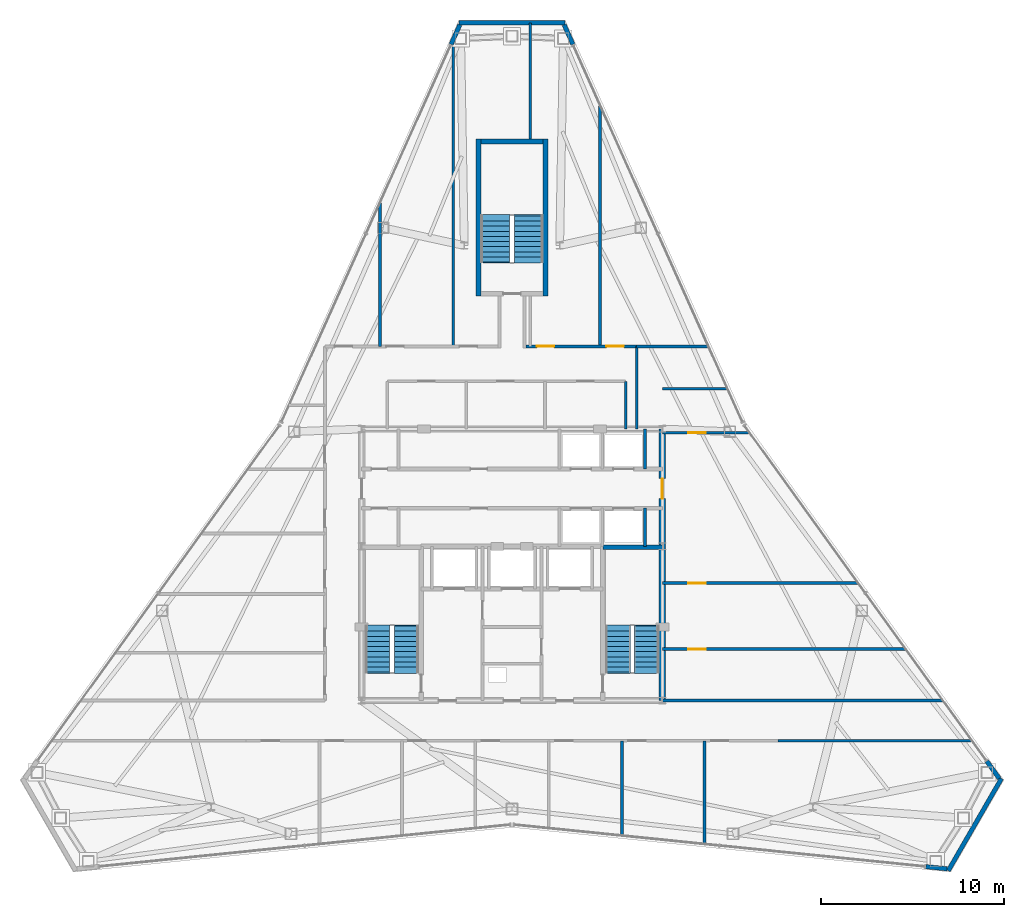
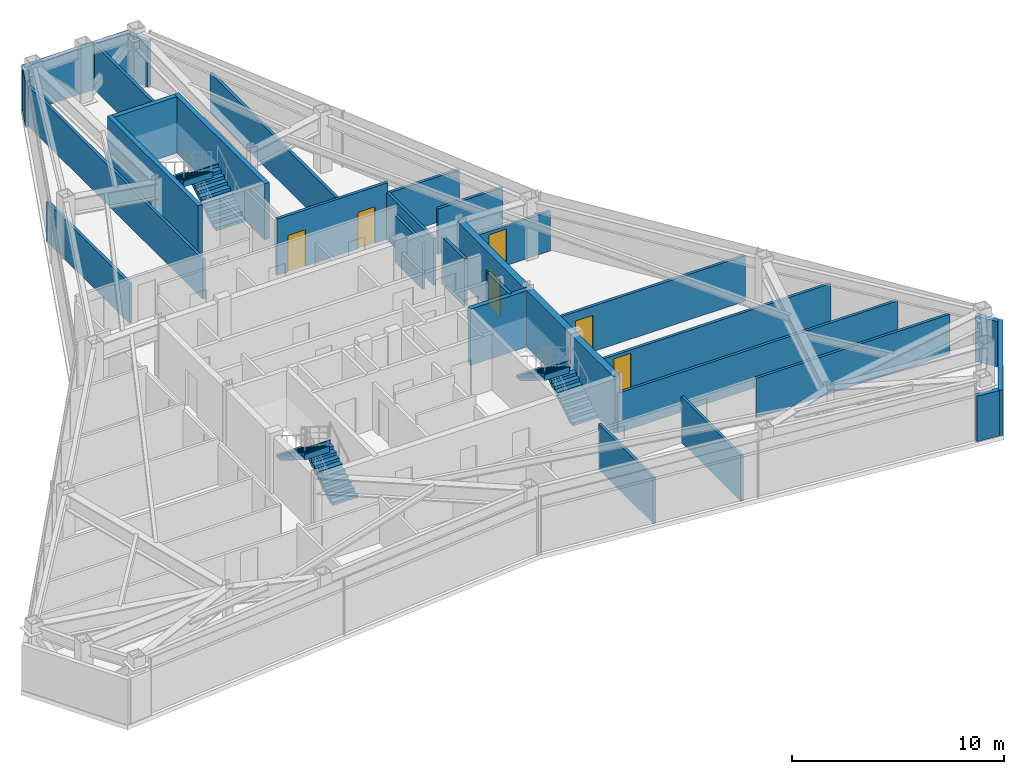
# One storey, part 11 of 12: 29 walls, 6 doors, 6 stair flights, 6 openings, 3 elements without a shape of their own.
"""IFC4 building model written with IfcOpenShell, lengths in metres."""

from ifc_helpers import new_model, si_unit, direction, frame, frame_2d, origin, place, context, subcontext, project, spatial, polyline, rectangle, outline, extrude, material, layer, layer_set, type_object, element, fill, aggregate, save


model = new_model("IFC4")

# Units and contexts
model_context = context("Model", 3, precision=1e-05, world=origin(), true_north=direction((0.0, 1.0)))
body_context = subcontext(model_context, "Body", "Model", "MODEL_VIEW")
ifc_project = project(units=[si_unit("LENGTHUNIT", "METRE"), si_unit("AREAUNIT", "SQUARE_METRE"), si_unit("VOLUMEUNIT", "CUBIC_METRE"), si_unit("PLANEANGLEUNIT", "RADIAN"), si_unit("MASSUNIT", "GRAM", prefix="KILO")], contexts=[model_context])

# Site, building, storey
site_placement = place(None, origin())
site = spatial("IfcSite", under=ifc_project, at=site_placement, CompositionType="ELEMENT")
building_placement = place(site_placement, origin())
building = spatial("IfcBuilding", under=site, at=building_placement, Name="Varakhsha Concourse Tower", CompositionType="ELEMENT")
storey_placement = place(building_placement, frame((0.0, 0.0, 258.5)))
storey = spatial("IfcBuildingStorey", under=building, at=storey_placement, Name="L73", CompositionType="ELEMENT", Elevation=258.5)

# Wall, opening, door
ifc_material_1 = material(Name="Concrete fc 65 MPa", Category="concrete")
ifc_layer_1 = layer(ifc_material_1, 0.35009765625, Name="WL-CORE-350")
ifc_layer_set_1 = layer_set([ifc_layer_1], Name="Concrete fc 65 MPa")
wall_type_1 = type_object("IfcWallType", Name="WL-CORE-350", PredefinedType="SHEAR", material=ifc_layer_set_1)
wall_1_placement = place(storey_placement, frame((48.199951171875, 16.39990234375, 0.0), z_axis=(0.0, 0.0, 1.0), x_axis=(0.0, 1.0, 0.0)))
wall_1 = element("IfcWall", 1, at=wall_1_placement, inside=storey, type_object=wall_type_1, Name="L73 Wall CWALL-E-L73", PredefinedType="SHEAR", context=body_context, shape_type="SweptSolid", body=[
    extrude(rectangle(XDim=14.800048828125, YDim=0.35009765625, at=frame_2d((7.39990234375, 0.0))), origin(), (0.0, 0.0, 1.0), 3.25),
])
opening_1_placement = place(wall_1_placement, frame((11.0, 0.0, 0.0)))
opening_1 = element("IfcOpeningElement", 2, at=opening_1_placement, cuts=wall_1, Name="Opening DL-01", PredefinedType="OPENING", context=body_context, shape_type="SweptSolid", body=[
    extrude(rectangle(XDim=1.10009765625, YDim=2.14990234375, at=frame_2d((0.550048828125, 1.074951171875))), frame((0.0, 0.18505859375, 0.0), z_axis=(0.0, -1.0, 0.0), x_axis=(1.0, 0.0, 0.0)), (0.0, 0.0, 1.0), 0.3701171875),
])
ifc_material_2 = material(Name="Anodised Bronze Architectural Aluminium AA 6063-T6", Category="aluminium")
door_type_1 = type_object("IfcDoorType", Name="DR-LOB-1100", OperationType="NOTDEFINED", PredefinedType="DOOR", material=ifc_material_2)
door_1_placement = place(opening_1_placement, origin())
door_1 = element("IfcDoor", 3, at=door_1_placement, inside=storey, type_object=door_type_1, Name="L73 Lift Lobby East Concourse Door", OperationType="SINGLE_SWING_RIGHT", OverallHeight=2.14990234375, OverallWidth=1.10009765625, PredefinedType="DOOR", context=body_context, shape_type="SweptSolid", body=[
    extrude(rectangle(XDim=1.10009765625, YDim=2.14990234375, at=frame_2d((0.550048828125, 1.074951171875))), frame((0.0, 0.02490234375, 0.0), z_axis=(0.0, -1.0, 0.0), x_axis=(1.0, 0.0, 0.0)), (0.0, 0.0, 1.0), 0.050048828125),
])
fill(opening_1, door_1)

# Walls
ifc_material_3 = material(Name="Concrete fc 45 MPa", Category="concrete")
ifc_layer_2 = layer(ifc_material_3, 0.239990234375, Name="WL-EXT-CRN-240")
ifc_layer_set_2 = layer_set([ifc_layer_2], Name="Concrete fc 45 MPa")
wall_type_2 = type_object("IfcWallType", Name="WL-EXT-CRN-240", PredefinedType="SHEAR", material=ifc_layer_set_2)
wall_2_placement = place(storey_placement, frame((37.10009765625, 53.337158203125, 0.0), z_axis=(0.0, 0.0, 1.0), x_axis=(1.0, 0.0, 0.0)))
element("IfcWall", 4, at=wall_2_placement, inside=storey, type_object=wall_type_2, Name="L73 Chamfer Wind-Corner Insulated Wall F1", PredefinedType="SHEAR", context=body_context, shape_type="SweptSolid", body=[
    extrude(rectangle(XDim=5.7998046875, YDim=0.239990234375, at=frame_2d((2.89990234375, 0.0))), origin(), (0.0, 0.0, 1.0), 2.623046875),
])
wall_3_placement = place(storey_placement, frame((37.15576171875, 53.23095703125, 0.0), z_axis=(0.0, 0.0, 1.0), x_axis=(-0.409608159136, -0.912261561159, 0.0)))
element("IfcWall", 5, at=wall_3_placement, inside=storey, type_object=wall_type_2, Name="L73 Wind-Corner Shoulder Wall F2", PredefinedType="SHEAR", context=body_context, shape_type="SweptSolid", body=[
    extrude(rectangle(XDim=1.167724609375, YDim=0.239990234375, at=frame_2d((0.583984375, 0.0))), origin(), (0.0, 0.0, 1.0), 2.623046875),
])
wall_4_placement = place(storey_placement, frame((62.557861328125, 7.33984375, 0.0), z_axis=(0.0, 0.0, 1.0), x_axis=(0.994842759405, -0.101429207129, 0.0)))
element("IfcWall", 6, at=wall_4_placement, inside=storey, type_object=wall_type_2, Name="L73 Wind-Corner Shoulder Wall F6", PredefinedType="SHEAR", context=body_context, shape_type="SweptSolid", body=[
    extrude(rectangle(XDim=1.16748046875, YDim=0.239990234375, at=frame_2d((0.583740234375, 0.0))), origin(), (0.0, 0.0, 1.0), 2.623046875),
])
wall_5_placement = place(storey_placement, frame((66.683349609375, 12.142822265625, 0.0), z_axis=(0.0, 0.0, 1.0), x_axis=(-0.500005459048, -0.866022251978, 0.0)))
element("IfcWall", 7, at=wall_5_placement, inside=storey, type_object=wall_type_2, Name="L73 Chamfer Wind-Corner Insulated Wall F7", PredefinedType="SHEAR", context=body_context, shape_type="SweptSolid", body=[
    extrude(rectangle(XDim=5.7998046875, YDim=0.239990234375, at=frame_2d((2.89990234375, 0.0))), origin(), (0.0, 0.0, 1.0), 2.623046875),
])
wall_6_placement = place(storey_placement, frame((66.5634765625, 12.147705078125, 0.0), z_axis=(0.0, 0.0, 1.0), x_axis=(-0.585108734167, 0.810954850286, 0.0)))
element("IfcWall", 8, at=wall_6_placement, inside=storey, type_object=wall_type_2, Name="L73 Wind-Corner Shoulder Wall F8", PredefinedType="SHEAR", context=body_context, shape_type="SweptSolid", body=[
    extrude(rectangle(XDim=1.16748046875, YDim=0.239990234375, at=frame_2d((0.583740234375, 0.0))), origin(), (0.0, 0.0, 1.0), 2.623046875),
])
wall_7_placement = place(storey_placement, frame((43.322509765625, 52.165771484375, 0.0), z_axis=(0.0, 0.0, 1.0), x_axis=(-0.409608159136, 0.912261561159, 0.0)))
element("IfcWall", 9, at=wall_7_placement, inside=storey, type_object=wall_type_2, Name="L73 Wind-Corner Shoulder Wall F9", PredefinedType="SHEAR", context=body_context, shape_type="SweptSolid", body=[
    extrude(rectangle(XDim=1.167724609375, YDim=0.239990234375, at=frame_2d((0.583984375, 0.0))), origin(), (0.0, 0.0, 1.0), 2.623046875),
])
ifc_material_4 = material(Name="Fire-Rated Type X Gypsum Partition Assembly", Category="gypsum")
ifc_layer_3 = layer(ifc_material_4, 0.14990234375, Name="WL-PART-150")
ifc_layer_set_3 = layer_set([ifc_layer_3], Name="Fire-Rated Type X Gypsum Partition Assembly")
wall_type_3 = type_object("IfcWallType", Name="WL-PART-150", PredefinedType="PARTITIONING", material=ifc_layer_set_3)
wall_8_placement = place(storey_placement, frame((46.199951171875, 31.199951171875, 0.0), z_axis=(0.0, 0.0, 1.0), x_axis=(0.0, 1.0, 0.0)))
element("IfcWall", 10, at=wall_8_placement, inside=storey, type_object=wall_type_3, Name="L73 Wall NBOH-E-L73", PredefinedType="PARTITIONING", context=body_context, shape_type="SweptSolid", body=[
    extrude(rectangle(XDim=2.60009765625, YDim=0.14990234375, at=frame_2d((1.300048828125, 0.0))), origin(), (0.0, 0.0, 1.0), 2.705078125),
])
wall_9_placement = place(storey_placement, frame((54.5, 14.199951171875, 0.0), z_axis=(0.0, 0.0, 1.0), x_axis=(1.0, 0.0, 0.0)))
element("IfcWall", 11, at=wall_9_placement, inside=storey, type_object=wall_type_3, Name="L73 Wall CRW-SGAL-SE-L73", PredefinedType="PARTITIONING", context=body_context, shape_type="SweptSolid", body=[
    extrude(rectangle(XDim=10.576416015625, YDim=0.14990234375, at=frame_2d((5.2880859375, 0.0))), origin(), (0.0, 0.0, 1.0), 2.2919921875),
])
wall_10_placement = place(storey_placement, frame((48.199951171875, 16.39990234375, 0.0), z_axis=(0.0, 0.0, 1.0), x_axis=(1.0, 0.0, 0.0)))
element("IfcWall", 12, at=wall_10_placement, inside=storey, type_object=wall_type_3, Name="L73 Wall CRW-SGAL-NE-L73", PredefinedType="PARTITIONING", context=body_context, shape_type="SweptSolid", body=[
    extrude(rectangle(XDim=15.28857421875, YDim=0.14990234375, at=frame_2d((7.644287109375, 0.0))), origin(), (0.0, 0.0, 1.0), 2.2919921875),
])

# Wall, openings, doors
wall_11_placement = place(storey_placement, frame((40.75, 35.699951171875, 0.0), z_axis=(0.0, 0.0, 1.0), x_axis=(1.0, 0.0, 0.0)))
wall_11 = element("IfcWall", 13, at=wall_11_placement, inside=storey, type_object=wall_type_3, Name="L73 Wall CRW-N-L73-B", PredefinedType="PARTITIONING", context=body_context, shape_type="SweptSolid", body=[
    extrude(rectangle(XDim=6.050048828125, YDim=0.14990234375, at=frame_2d((3.02490234375, 0.0))), origin(), (0.0, 0.0, 1.0), 3.25),
])
opening_2_placement = place(wall_11_placement, frame((0.60009765625, 0.0, 0.0)))
opening_2 = element("IfcOpeningElement", 14, at=opening_2_placement, cuts=wall_11, Name="Opening DF-05", PredefinedType="OPENING", context=body_context, shape_type="SweptSolid", body=[
    extrude(rectangle(XDim=0.949951171875, YDim=2.10009765625, at=frame_2d((0.47509765625, 1.050048828125))), frame((0.0, 0.0849609375, 0.0), z_axis=(0.0, -1.0, 0.0), x_axis=(1.0, 0.0, 0.0)), (0.0, 0.0, 1.0), 0.169921875),
])
opening_3_placement = place(wall_11_placement, frame((4.39990234375, 0.0, 0.0)))
opening_3 = element("IfcOpeningElement", 15, at=opening_3_placement, cuts=wall_11, Name="Opening DF-05", PredefinedType="OPENING", context=body_context, shape_type="SweptSolid", body=[
    extrude(rectangle(XDim=0.949951171875, YDim=2.10009765625, at=frame_2d((0.47509765625, 1.050048828125))), frame((0.0, 0.0849609375, 0.0), z_axis=(0.0, -1.0, 0.0), x_axis=(1.0, 0.0, 0.0)), (0.0, 0.0, 1.0), 0.169921875),
])
ifc_material_5 = material(Name="Hollow Galvanised Steel Fire Door Assembly", Category="steel")
door_type_2 = type_object("IfcDoorType", Name="DR-FD60-950", OperationType="NOTDEFINED", PredefinedType="DOOR", material=ifc_material_5)
door_2_placement = place(opening_2_placement, origin())
door_2 = element("IfcDoor", 16, at=door_2_placement, inside=storey, type_object=door_type_2, Name="L73 North Dry R&D Design Lab L73-N4 Door", OperationType="SINGLE_SWING_RIGHT", OverallHeight=2.10009765625, OverallWidth=0.949951171875, PredefinedType="DOOR", context=body_context, shape_type="SweptSolid", body=[
    extrude(rectangle(XDim=0.949951171875, YDim=2.10009765625, at=frame_2d((0.47509765625, 1.050048828125))), frame((0.0, 0.02490234375, 0.0), z_axis=(0.0, -1.0, 0.0), x_axis=(1.0, 0.0, 0.0)), (0.0, 0.0, 1.0), 0.050048828125),
])
fill(opening_2, door_2)
door_3_placement = place(opening_3_placement, origin())
door_3 = element("IfcDoor", 17, at=door_3_placement, inside=storey, type_object=door_type_2, Name="L73 North Dry R&D Design Lab L73-N5 Door", OperationType="SINGLE_SWING_LEFT", OverallHeight=2.10009765625, OverallWidth=0.949951171875, PredefinedType="DOOR", context=body_context, shape_type="SweptSolid", body=[
    extrude(rectangle(XDim=0.949951171875, YDim=2.10009765625, at=frame_2d((0.47509765625, 1.050048828125))), frame((0.0, 0.02490234375, 0.0), z_axis=(0.0, -1.0, 0.0), x_axis=(1.0, 0.0, 0.0)), (0.0, 0.0, 1.0), 0.050048828125),
])
fill(opening_3, door_3)

# Walls
wall_12_placement = place(storey_placement, frame((46.800048828125, 31.199951171875, 0.0), z_axis=(0.0, 0.0, 1.0), x_axis=(0.0, 1.0, 0.0)))
element("IfcWall", 18, at=wall_12_placement, inside=storey, type_object=wall_type_3, Name="L73 Wall CRW-NE-L73", PredefinedType="PARTITIONING", context=body_context, shape_type="SweptSolid", body=[
    extrude(rectangle(XDim=4.5, YDim=0.14990234375, at=frame_2d((2.25, 0.0))), origin(), (0.0, 0.0, 1.0), 2.705078125),
])
wall_13_placement = place(storey_placement, frame((46.0, 9.031494140625, 0.0), z_axis=(0.0, 0.0, 1.0), x_axis=(0.0, 1.0, 0.0)))
element("IfcWall", 19, at=wall_13_placement, inside=storey, type_object=wall_type_3, Name="L73 Wall ODIV-S5-L73", PredefinedType="PARTITIONING", context=body_context, shape_type="SweptSolid", body=[
    extrude(rectangle(XDim=5.16845703125, YDim=0.14990234375, at=frame_2d((2.584228515625, 0.0))), origin(), (0.0, 0.0, 1.0), 2.6279296875),
])
wall_14_placement = place(storey_placement, frame((50.5, 8.572998046875, 0.0), z_axis=(0.0, 0.0, 1.0), x_axis=(0.0, 1.0, 0.0)))
element("IfcWall", 20, at=wall_14_placement, inside=storey, type_object=wall_type_3, Name="L73 Wall ODIV-S6-L73", PredefinedType="PARTITIONING", context=body_context, shape_type="SweptSolid", body=[
    extrude(rectangle(XDim=5.626953125, YDim=0.14990234375, at=frame_2d((2.8134765625, 0.0))), origin(), (0.0, 0.0, 1.0), 2.6279296875),
])
wall_15_placement = place(storey_placement, frame((46.800048828125, 35.699951171875, 0.0), z_axis=(0.0, 0.0, 1.0), x_axis=(1.0, 0.0, 0.0)))
element("IfcWall", 21, at=wall_15_placement, inside=storey, type_object=wall_type_3, Name="L73 Wall ODIV-EBN-L73", PredefinedType="PARTITIONING", context=body_context, shape_type="SweptSolid", body=[
    extrude(rectangle(XDim=3.911376953125, YDim=0.14990234375, at=frame_2d((1.95556640625, 0.0))), origin(), (0.0, 0.0, 1.0), 2.6279296875),
])

# Wall, opening, door
wall_16_placement = place(storey_placement, frame((48.199951171875, 19.199951171875, 0.0), z_axis=(0.0, 0.0, 1.0), x_axis=(1.0, 0.0, 0.0)))
wall_16 = element("IfcWall", 22, at=wall_16_placement, inside=storey, type_object=wall_type_3, Name="L73 Wall ODIV-E1-L73", PredefinedType="PARTITIONING", context=body_context, shape_type="SweptSolid", body=[
    extrude(rectangle(XDim=13.26806640625, YDim=0.14990234375, at=frame_2d((6.634033203125, 0.0))), origin(), (0.0, 0.0, 1.0), 2.2919921875),
])
opening_4_placement = place(wall_16_placement, frame((1.39990234375, 0.0, 0.0)))
opening_4 = element("IfcOpeningElement", 23, at=opening_4_placement, cuts=wall_16, Name="Opening DF-05", PredefinedType="OPENING", context=body_context, shape_type="SweptSolid", body=[
    extrude(rectangle(XDim=0.949951171875, YDim=2.10009765625, at=frame_2d((0.47509765625, 1.050048828125))), frame((0.0, 0.0849609375, 0.0), z_axis=(0.0, -1.0, 0.0), x_axis=(1.0, 0.0, 0.0)), (0.0, 0.0, 1.0), 0.169921875),
])
door_4_placement = place(opening_4_placement, origin())
door_4 = element("IfcDoor", 24, at=door_4_placement, inside=storey, type_object=door_type_2, Name="L73 East Suite Interconnect Door 1", OperationType="SINGLE_SWING_LEFT", OverallHeight=2.10009765625, OverallWidth=0.949951171875, PredefinedType="DOOR", context=body_context, shape_type="SweptSolid", body=[
    extrude(rectangle(XDim=0.949951171875, YDim=2.10009765625, at=frame_2d((0.47509765625, 1.050048828125))), frame((0.0, 0.02490234375, 0.0), z_axis=(0.0, -1.0, 0.0), x_axis=(1.0, 0.0, 0.0)), (0.0, 0.0, 1.0), 0.050048828125),
])
fill(opening_4, door_4)

wall_17_placement = place(storey_placement, frame((48.199951171875, 22.800048828125, 0.0), z_axis=(0.0, 0.0, 1.0), x_axis=(1.0, 0.0, 0.0)))
wall_17 = element("IfcWall", 25, at=wall_17_placement, inside=storey, type_object=wall_type_3, Name="L73 Wall ODIV-E2-L73", PredefinedType="PARTITIONING", context=body_context, shape_type="SweptSolid", body=[
    extrude(rectangle(XDim=10.670166015625, YDim=0.14990234375, at=frame_2d((5.3349609375, 0.0))), origin(), (0.0, 0.0, 1.0), 2.6279296875),
])
opening_5_placement = place(wall_17_placement, frame((1.39990234375, 0.0, 0.0)))
opening_5 = element("IfcOpeningElement", 26, at=opening_5_placement, cuts=wall_17, Name="Opening DF-05", PredefinedType="OPENING", context=body_context, shape_type="SweptSolid", body=[
    extrude(rectangle(XDim=0.949951171875, YDim=2.10009765625, at=frame_2d((0.47509765625, 1.050048828125))), frame((0.0, 0.0849609375, 0.0), z_axis=(0.0, -1.0, 0.0), x_axis=(1.0, 0.0, 0.0)), (0.0, 0.0, 1.0), 0.169921875),
])
door_5_placement = place(opening_5_placement, origin())
door_5 = element("IfcDoor", 27, at=door_5_placement, inside=storey, type_object=door_type_2, Name="L73 East Suite Interconnect Door 2", OperationType="SINGLE_SWING_RIGHT", OverallHeight=2.10009765625, OverallWidth=0.949951171875, PredefinedType="DOOR", context=body_context, shape_type="SweptSolid", body=[
    extrude(rectangle(XDim=0.949951171875, YDim=2.10009765625, at=frame_2d((0.47509765625, 1.050048828125))), frame((0.0, 0.02490234375, 0.0), z_axis=(0.0, -1.0, 0.0), x_axis=(1.0, 0.0, 0.0)), (0.0, 0.0, 1.0), 0.050048828125),
])
fill(opening_5, door_5)

wall_18_placement = place(storey_placement, frame((48.199951171875, 31.0, 0.0), z_axis=(0.0, 0.0, 1.0), x_axis=(1.0, 0.0, 0.0)))
wall_18 = element("IfcWall", 28, at=wall_18_placement, inside=storey, type_object=wall_type_3, Name="L73 Wall ODIV-E3-L73", PredefinedType="PARTITIONING", context=body_context, shape_type="SweptSolid", body=[
    extrude(rectangle(XDim=4.75244140625, YDim=0.14990234375, at=frame_2d((2.376220703125, 0.0))), origin(), (0.0, 0.0, 1.0), 2.2919921875),
])
opening_6_placement = place(wall_18_placement, frame((1.39990234375, 0.0, 0.0)))
opening_6 = element("IfcOpeningElement", 29, at=opening_6_placement, cuts=wall_18, Name="Opening DF-05", PredefinedType="OPENING", context=body_context, shape_type="SweptSolid", body=[
    extrude(rectangle(XDim=0.949951171875, YDim=2.10009765625, at=frame_2d((0.47509765625, 1.050048828125))), frame((0.0, 0.0849609375, 0.0), z_axis=(0.0, -1.0, 0.0), x_axis=(1.0, 0.0, 0.0)), (0.0, 0.0, 1.0), 0.169921875),
])
door_6_placement = place(opening_6_placement, origin())
door_6 = element("IfcDoor", 30, at=door_6_placement, inside=storey, type_object=door_type_2, Name="L73 East Suite Interconnect Door 3", OperationType="SINGLE_SWING_LEFT", OverallHeight=2.10009765625, OverallWidth=0.949951171875, PredefinedType="DOOR", context=body_context, shape_type="SweptSolid", body=[
    extrude(rectangle(XDim=0.949951171875, YDim=2.10009765625, at=frame_2d((0.47509765625, 1.050048828125))), frame((0.0, 0.02490234375, 0.0), z_axis=(0.0, -1.0, 0.0), x_axis=(1.0, 0.0, 0.0)), (0.0, 0.0, 1.0), 0.050048828125),
])
fill(opening_6, door_6)

# Walls
wall_19_placement = place(storey_placement, frame((48.199951171875, 33.39990234375, 0.0), z_axis=(0.0, 0.0, 1.0), x_axis=(1.0, 0.0, 0.0)))
element("IfcWall", 31, at=wall_19_placement, inside=storey, type_object=wall_type_3, Name="L73 Wall ODIV-E4-L73", PredefinedType="PARTITIONING", context=body_context, shape_type="SweptSolid", body=[
    extrude(rectangle(XDim=3.544189453125, YDim=0.14990234375, at=frame_2d((1.77197265625, 0.0))), origin(), (0.0, 0.0, 1.0), 2.6279296875),
])
wall_20_placement = place(storey_placement, frame((32.800048828125, 35.699951171875, 0.0), z_axis=(0.0, 0.0, 1.0), x_axis=(0.0, 1.0, 0.0)))
element("IfcWall", 32, at=wall_20_placement, inside=storey, type_object=wall_type_3, Name="L73 Wall ODIV-N1-L73", PredefinedType="PARTITIONING", context=body_context, shape_type="SweptSolid", body=[
    extrude(rectangle(XDim=7.819091796875, YDim=0.14990234375, at=frame_2d((3.90966796875, 0.0))), origin(), (0.0, 0.0, 1.0), 2.2919921875),
])
wall_21_placement = place(storey_placement, frame((36.800048828125, 35.699951171875, 0.0), z_axis=(0.0, 0.0, 1.0), x_axis=(0.0, 1.0, 0.0)))
element("IfcWall", 33, at=wall_21_placement, inside=storey, type_object=wall_type_3, Name="L73 Wall ODIV-N2-L73", PredefinedType="PARTITIONING", context=body_context, shape_type="SweptSolid", body=[
    extrude(rectangle(XDim=16.726318359375, YDim=0.14990234375, at=frame_2d((8.36328125, 0.0))), origin(), (0.0, 0.0, 1.0), 2.2919921875),
])
wall_22_placement = place(storey_placement, frame((41.0, 47.0, 0.0), z_axis=(0.0, 0.0, 1.0), x_axis=(0.0, 1.0, 0.0)))
element("IfcWall", 34, at=wall_22_placement, inside=storey, type_object=wall_type_3, Name="L73 Wall ODIV-N3-L73-B", PredefinedType="PARTITIONING", context=body_context, shape_type="SweptSolid", body=[
    extrude(rectangle(XDim=6.33203125, YDim=0.14990234375, at=frame_2d((3.166015625, 0.0))), origin(), (0.0, 0.0, 1.0), 2.6279296875),
])
wall_23_placement = place(storey_placement, frame((44.800048828125, 35.699951171875, 0.0), z_axis=(0.0, 0.0, 1.0), x_axis=(0.0, 1.0, 0.0)))
element("IfcWall", 35, at=wall_23_placement, inside=storey, type_object=wall_type_3, Name="L73 Wall ODIV-N4-L73", PredefinedType="PARTITIONING", context=body_context, shape_type="SweptSolid", body=[
    extrude(rectangle(XDim=13.163330078125, YDim=0.14990234375, at=frame_2d((6.58154296875, 0.0))), origin(), (0.0, 0.0, 1.0), 2.2919921875),
])
ifc_layer_4 = layer(ifc_material_4, 0.199951171875, Name="WL-SHAFT-220")
ifc_layer_set_4 = layer_set([ifc_layer_4], Name="Fire-Rated Type X Gypsum Partition Assembly")
wall_type_4 = type_object("IfcWallType", Name="WL-SHAFT-220", PredefinedType="SOLIDWALL", material=ifc_layer_set_4)
wall_24_placement = place(storey_placement, frame((47.239990234375, 29.02001953125, 0.0), z_axis=(0.0, 0.0, 1.0), x_axis=(0.0, 1.0, 0.0)))
element("IfcWall", 36, at=wall_24_placement, inside=storey, type_object=wall_type_4, Name="L73 Wall SHW-LF-P10-E-L73", PredefinedType="SOLIDWALL", context=body_context, shape_type="SweptSolid", body=[
    extrude(rectangle(XDim=2.179931640625, YDim=0.159912109375, at=frame_2d((1.08984375, 0.0))), origin(), (0.0, 0.0, 1.0), 2.705078125),
])
wall_25_placement = place(storey_placement, frame((47.239990234375, 24.800048828125, 0.0), z_axis=(0.0, 0.0, 1.0), x_axis=(0.0, 1.0, 0.0)))
element("IfcWall", 37, at=wall_25_placement, inside=storey, type_object=wall_type_4, Name="L73 Wall SHW-LF-P12-E-L73", PredefinedType="SOLIDWALL", context=body_context, shape_type="SweptSolid", body=[
    extrude(rectangle(XDim=2.079833984375, YDim=0.159912109375, at=frame_2d((1.0400390625, 0.0))), origin(), (0.0, 0.0, 1.0), 3.25),
])
ifc_layer_5 = layer(ifc_material_3, 0.25, Name="WL-STAIR-250")
ifc_layer_set_5 = layer_set([ifc_layer_5], Name="Concrete fc 45 MPa")
wall_type_5 = type_object("IfcWallType", Name="WL-STAIR-250", PredefinedType="SHEAR", material=ifc_layer_set_5)
wall_26_placement = place(storey_placement, frame((44.955078125, 24.7548828125, 0.0), z_axis=(0.0, 0.0, 1.0), x_axis=(1.0, 0.0, 0.0)))
element("IfcWall", 38, at=wall_26_placement, inside=storey, type_object=wall_type_5, Name="L73 Wall SWALL-ST2-N-L73", PredefinedType="SHEAR", context=body_context, shape_type="SweptSolid", body=[
    extrude(rectangle(XDim=3.244873046875, YDim=0.25, at=frame_2d((1.62255859375, 0.0))), origin(), (0.0, 0.0, 1.0), 3.25),
])
for number, where, z_axis, x_axis, name in (
    (39, (38.175048828125, 38.449951171875, 0.0), (0.0, 0.0, 1.0), (0.0, 1.0, 0.0), "L73 Wall SWALL-ST5-W-L73"),
    (40, (41.824951171875, 38.449951171875, 0.0), (0.0, 0.0, 1.0), (0.0, 1.0, 0.0), "L73 Wall SWALL-ST5-E-L73"),
):
    element("IfcWall", number, at=place(storey_placement, frame(where, z_axis=z_axis, x_axis=x_axis)), inside=storey, type_object=wall_type_5, Name=name, PredefinedType="SHEAR", context=body_context, shape_type="SweptSolid", body=[
        extrude(rectangle(XDim=8.550048828125, YDim=0.25, at=frame_2d((4.27490234375, 0.0))), origin(), (0.0, 0.0, 1.0), 3.25),
    ])
wall_27_placement = place(storey_placement, frame((38.300048828125, 46.875, 0.0), z_axis=(0.0, 0.0, 1.0), x_axis=(1.0, 0.0, 0.0)))
element("IfcWall", 41, at=wall_27_placement, inside=storey, type_object=wall_type_5, Name="L73 Wall SWALL-ST5-N-L73", PredefinedType="SHEAR", context=body_context, shape_type="SweptSolid", body=[
    extrude(rectangle(XDim=3.39990234375, YDim=0.25, at=frame_2d((1.699951171875, 0.0))), origin(), (0.0, 0.0, 1.0), 3.25),
])

# Stair, stair flights
stair_type_1 = type_object("IfcStairType", Name="ST-DOGLEG-1360", PredefinedType="HALF_TURN_STAIR", material=ifc_material_3)
stair_1_placement = place(storey_placement, origin())
stair_1 = element("IfcStair", 42, at=stair_1_placement, inside=storey, type_object=stair_type_1, Name="L73 Protected Exit Stair ST1", PredefinedType="HALF_TURN_STAIR")
stair_flight_type_1 = type_object("IfcStairFlightType", Name="STF-1360-R1750", PredefinedType="STRAIGHT", material=ifc_material_3)
stair_flight_1_placement = place(storey_placement, frame((34.239990234375, 17.93994140625, 0.0), z_axis=(0.0, 0.0, 1.0), x_axis=(0.0, 1.0, 0.0)))
stair_flight_1 = element("IfcStairFlight", 43, at=stair_flight_1_placement, type_object=stair_flight_type_1, Name="ST1 flight 1", NumberOfRisers=10, NumberOfTreads=9, PredefinedType="STRAIGHT", RiserHeight=0.175, TreadLength=0.28, context=body_context, shape_type="SweptSolid", body=[
    extrude(outline(polyline([(-0.06005859375, 0.0), (-0.06005859375, 0.175048828125), (0.0, 0.175048828125), (0.280029296875, 0.175048828125), (0.280029296875, 0.35009765625), (0.56005859375, 0.35009765625), (0.56005859375, 0.52490234375), (0.840087890625, 0.52490234375), (0.840087890625, 0.699951171875), (1.1201171875, 0.699951171875), (1.1201171875, 0.875), (1.39990234375, 0.875), (1.39990234375, 1.050048828125), (1.679931640625, 1.050048828125), (1.679931640625, 1.22509765625), (1.9599609375, 1.22509765625), (1.9599609375, 1.39990234375), (2.239990234375, 1.39990234375), (2.239990234375, 1.574951171875), (2.52001953125, 1.574951171875), (2.52001953125, 1.75), (2.580078125, 1.75), (2.580078125, 1.398193359375), (2.52001953125, 1.398193359375), (0.28271484375, 0.0), (-0.06005859375, 0.0)])), frame((0.0, 0.68017578125, 0.0), z_axis=(0.0, -1.0, 0.0), x_axis=(1.0, 0.0, 0.0)), (0.0, 0.0, 1.0), 1.360107421875),
])
stair_flight_2_placement = place(storey_placement, frame((32.679931640625, 20.4599609375, 1.75), z_axis=(0.0, 0.0, 1.0), x_axis=(0.0, -1.0, 0.0)))
stair_flight_2 = element("IfcStairFlight", 44, at=stair_flight_2_placement, type_object=stair_flight_type_1, Name="ST1 flight 2", NumberOfRisers=10, NumberOfTreads=9, PredefinedType="STRAIGHT", RiserHeight=0.175, TreadLength=0.28, context=body_context, shape_type="SweptSolid", body=[
    extrude(outline(polyline([(-0.06005859375, 0.0), (-0.06005859375, 0.175048828125), (0.0, 0.175048828125), (0.280029296875, 0.175048828125), (0.280029296875, 0.35009765625), (0.56005859375, 0.35009765625), (0.56005859375, 0.52490234375), (0.840087890625, 0.52490234375), (0.840087890625, 0.699951171875), (1.1201171875, 0.699951171875), (1.1201171875, 0.875), (1.39990234375, 0.875), (1.39990234375, 1.050048828125), (1.679931640625, 1.050048828125), (1.679931640625, 1.22509765625), (1.9599609375, 1.22509765625), (1.9599609375, 1.39990234375), (2.239990234375, 1.39990234375), (2.239990234375, 1.574951171875), (2.52001953125, 1.574951171875), (2.52001953125, 1.75), (2.580078125, 1.75), (2.580078125, 1.398193359375), (2.52001953125, 1.398193359375), (0.28271484375, 0.0), (-0.06005859375, 0.0)])), frame((0.0, 0.68017578125, 0.0), z_axis=(0.0, -1.0, 0.0), x_axis=(1.0, 0.0, 0.0)), (0.0, 0.0, 1.0), 1.360107421875),
])
aggregate(stair_1, [stair_flight_1, stair_flight_2])

stair_2_placement = place(storey_placement, origin())
stair_2 = element("IfcStair", 45, at=stair_2_placement, inside=storey, type_object=stair_type_1, Name="L73 Protected Exit Stair ST2", PredefinedType="HALF_TURN_STAIR")
stair_flight_3_placement = place(storey_placement, frame((47.340087890625, 17.93994140625, 0.0), z_axis=(0.0, 0.0, 1.0), x_axis=(0.0, 1.0, 0.0)))
stair_flight_3 = element("IfcStairFlight", 46, at=stair_flight_3_placement, type_object=stair_flight_type_1, Name="ST2 flight 1", NumberOfRisers=10, NumberOfTreads=9, PredefinedType="STRAIGHT", RiserHeight=0.175, TreadLength=0.28, context=body_context, shape_type="SweptSolid", body=[
    extrude(outline(polyline([(-0.06005859375, 0.0), (-0.06005859375, 0.175048828125), (0.0, 0.175048828125), (0.280029296875, 0.175048828125), (0.280029296875, 0.35009765625), (0.56005859375, 0.35009765625), (0.56005859375, 0.52490234375), (0.840087890625, 0.52490234375), (0.840087890625, 0.699951171875), (1.1201171875, 0.699951171875), (1.1201171875, 0.875), (1.39990234375, 0.875), (1.39990234375, 1.050048828125), (1.679931640625, 1.050048828125), (1.679931640625, 1.22509765625), (1.9599609375, 1.22509765625), (1.9599609375, 1.39990234375), (2.239990234375, 1.39990234375), (2.239990234375, 1.574951171875), (2.52001953125, 1.574951171875), (2.52001953125, 1.75), (2.580078125, 1.75), (2.580078125, 1.398193359375), (2.52001953125, 1.398193359375), (0.28271484375, 0.0), (-0.06005859375, 0.0)])), frame((0.0, 0.68017578125, 0.0), z_axis=(0.0, -1.0, 0.0), x_axis=(1.0, 0.0, 0.0)), (0.0, 0.0, 1.0), 1.360107421875),
])
stair_flight_4_placement = place(storey_placement, frame((45.780029296875, 20.4599609375, 1.75), z_axis=(0.0, 0.0, 1.0), x_axis=(0.0, -1.0, 0.0)))
stair_flight_4 = element("IfcStairFlight", 47, at=stair_flight_4_placement, type_object=stair_flight_type_1, Name="ST2 flight 2", NumberOfRisers=10, NumberOfTreads=9, PredefinedType="STRAIGHT", RiserHeight=0.175, TreadLength=0.28, context=body_context, shape_type="SweptSolid", body=[
    extrude(outline(polyline([(-0.06005859375, 0.0), (-0.06005859375, 0.175048828125), (0.0, 0.175048828125), (0.280029296875, 0.175048828125), (0.280029296875, 0.35009765625), (0.56005859375, 0.35009765625), (0.56005859375, 0.52490234375), (0.840087890625, 0.52490234375), (0.840087890625, 0.699951171875), (1.1201171875, 0.699951171875), (1.1201171875, 0.875), (1.39990234375, 0.875), (1.39990234375, 1.050048828125), (1.679931640625, 1.050048828125), (1.679931640625, 1.22509765625), (1.9599609375, 1.22509765625), (1.9599609375, 1.39990234375), (2.239990234375, 1.39990234375), (2.239990234375, 1.574951171875), (2.52001953125, 1.574951171875), (2.52001953125, 1.75), (2.580078125, 1.75), (2.580078125, 1.398193359375), (2.52001953125, 1.398193359375), (0.28271484375, 0.0), (-0.06005859375, 0.0)])), frame((0.0, 0.68017578125, 0.0), z_axis=(0.0, -1.0, 0.0), x_axis=(1.0, 0.0, 0.0)), (0.0, 0.0, 1.0), 1.360107421875),
])
aggregate(stair_2, [stair_flight_3, stair_flight_4])

stair_type_2 = type_object("IfcStairType", Name="ST-DOGLEG-1600", PredefinedType="HALF_TURN_STAIR", material=ifc_material_3)
stair_3_placement = place(storey_placement, origin())
stair_3 = element("IfcStair", 48, at=stair_3_placement, inside=storey, type_object=stair_type_2, Name="L73 Protected Exit Stair ST5", PredefinedType="HALF_TURN_STAIR")
stair_flight_type_2 = type_object("IfcStairFlightType", Name="STF-1600-R1750", PredefinedType="STRAIGHT", material=ifc_material_3)
stair_flight_5_placement = place(storey_placement, frame((40.89990234375, 40.300048828125, 0.0), z_axis=(0.0, 0.0, 1.0), x_axis=(0.0, 1.0, 0.0)))
stair_flight_5 = element("IfcStairFlight", 49, at=stair_flight_5_placement, type_object=stair_flight_type_2, Name="ST5 flight 1", NumberOfRisers=10, NumberOfTreads=9, PredefinedType="STRAIGHT", RiserHeight=0.175, TreadLength=0.28, context=body_context, shape_type="SweptSolid", body=[
    extrude(outline(polyline([(-0.06005859375, 0.0), (-0.06005859375, 0.175048828125), (0.0, 0.175048828125), (0.280029296875, 0.175048828125), (0.280029296875, 0.35009765625), (0.56005859375, 0.35009765625), (0.56005859375, 0.52490234375), (0.840087890625, 0.52490234375), (0.840087890625, 0.699951171875), (1.1201171875, 0.699951171875), (1.1201171875, 0.875), (1.39990234375, 0.875), (1.39990234375, 1.050048828125), (1.679931640625, 1.050048828125), (1.679931640625, 1.22509765625), (1.9599609375, 1.22509765625), (1.9599609375, 1.39990234375), (2.239990234375, 1.39990234375), (2.239990234375, 1.574951171875), (2.52001953125, 1.574951171875), (2.52001953125, 1.75), (2.580078125, 1.75), (2.580078125, 1.398193359375), (2.52001953125, 1.398193359375), (0.28271484375, 0.0), (-0.06005859375, 0.0)])), frame((0.0, 0.800048828125, 0.0), z_axis=(0.0, -1.0, 0.0), x_axis=(1.0, 0.0, 0.0)), (0.0, 0.0, 1.0), 1.60009765625),
])
stair_flight_6_placement = place(storey_placement, frame((39.10009765625, 42.820068359375, 1.75), z_axis=(0.0, 0.0, 1.0), x_axis=(0.0, -1.0, 0.0)))
stair_flight_6 = element("IfcStairFlight", 50, at=stair_flight_6_placement, type_object=stair_flight_type_2, Name="ST5 flight 2", NumberOfRisers=10, NumberOfTreads=9, PredefinedType="STRAIGHT", RiserHeight=0.175, TreadLength=0.28, context=body_context, shape_type="SweptSolid", body=[
    extrude(outline(polyline([(-0.06005859375, 0.0), (-0.06005859375, 0.175048828125), (0.0, 0.175048828125), (0.280029296875, 0.175048828125), (0.280029296875, 0.35009765625), (0.56005859375, 0.35009765625), (0.56005859375, 0.52490234375), (0.840087890625, 0.52490234375), (0.840087890625, 0.699951171875), (1.1201171875, 0.699951171875), (1.1201171875, 0.875), (1.39990234375, 0.875), (1.39990234375, 1.050048828125), (1.679931640625, 1.050048828125), (1.679931640625, 1.22509765625), (1.9599609375, 1.22509765625), (1.9599609375, 1.39990234375), (2.239990234375, 1.39990234375), (2.239990234375, 1.574951171875), (2.52001953125, 1.574951171875), (2.52001953125, 1.75), (2.580078125, 1.75), (2.580078125, 1.398193359375), (2.52001953125, 1.398193359375), (0.28271484375, 0.0), (-0.06005859375, 0.0)])), frame((0.0, 0.800048828125, 0.0), z_axis=(0.0, -1.0, 0.0), x_axis=(1.0, 0.0, 0.0)), (0.0, 0.0, 1.0), 1.60009765625),
])
aggregate(stair_3, [stair_flight_5, stair_flight_6])

save(model, "model.ifc")
